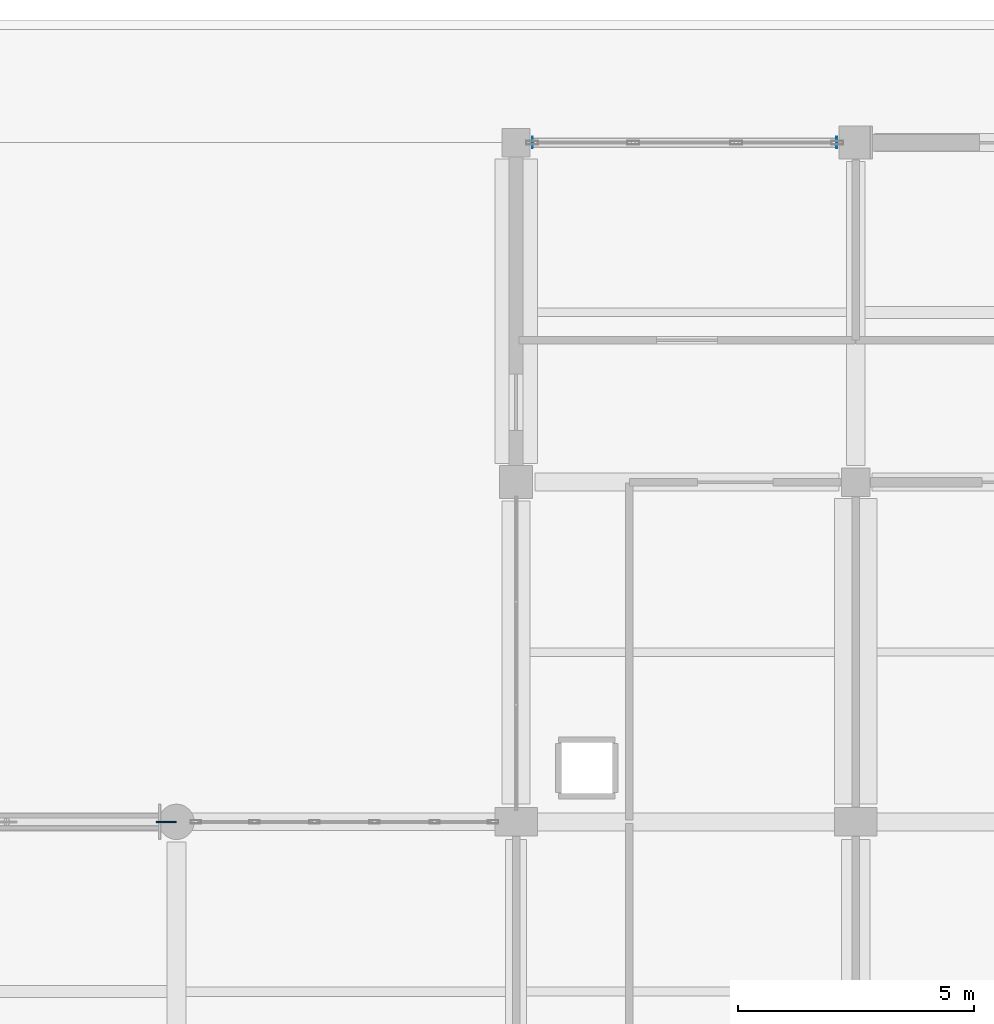
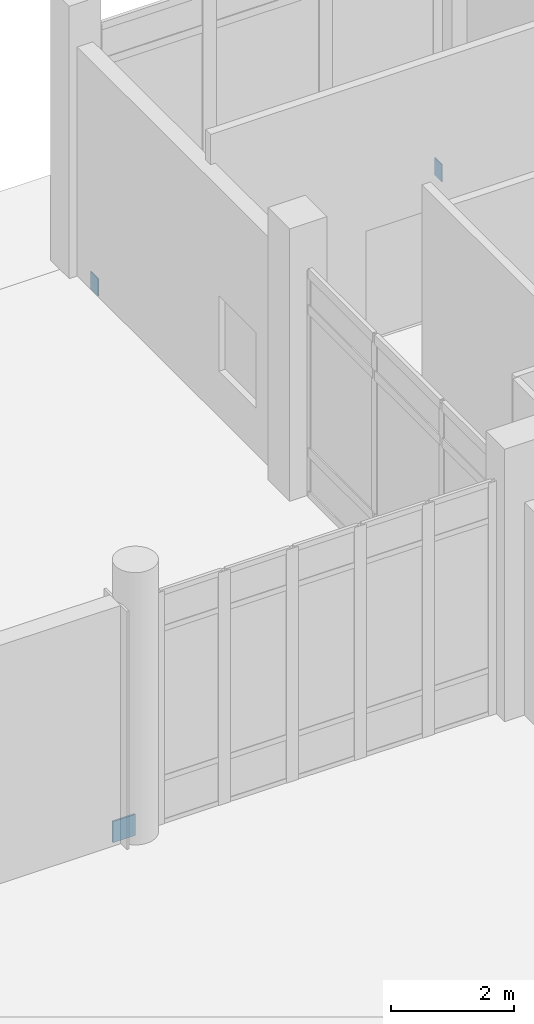
# One storey, part 186 of 229: 3 plates.
"""IFC4 building model written with IfcOpenShell, lengths in metres."""

from ifc_helpers import new_model, si_unit, direction, frame, origin, origin_2d, place, context, subcontext, project, spatial, rectangle, extrude, material, layer, layer_set, type_object, element, save


model = new_model("IFC4")

# Units and contexts
model_context = context("Model", 3, precision=1e-05, world=origin(), true_north=direction((0.0, 1.0)))
body_context = subcontext(model_context, "Body", "Model", "MODEL_VIEW")
ifc_project = project(units=[si_unit("LENGTHUNIT", "METRE"), si_unit("AREAUNIT", "SQUARE_METRE"), si_unit("VOLUMEUNIT", "CUBIC_METRE"), si_unit("PLANEANGLEUNIT", "RADIAN"), si_unit("MASSUNIT", "GRAM", prefix="KILO")], contexts=[model_context])

# Site, building, storey
site_placement = place(None, origin())
site = spatial("IfcSite", under=ifc_project, at=site_placement, CompositionType="ELEMENT")
building_placement = place(site_placement, origin())
building = spatial("IfcBuilding", under=site, at=building_placement, Name="Calvrana Isthmian Art Gallery", CompositionType="ELEMENT")
storey_placement = place(building_placement, origin())
storey = spatial("IfcBuildingStorey", under=building, at=storey_placement, Name="L00", CompositionType="ELEMENT", Elevation=0.0)

# Plates
ifc_material = material(Name="Steel ASTM A572 Gr 50", Category="steel")
ifc_layer_1 = layer(ifc_material, 0.01611328125, Name="Steel ASTM A572 Gr 50")
ifc_layer_set_1 = layer_set([ifc_layer_1], Name="Steel ASTM A572 Gr 50")
plate_type_1 = type_object("IfcPlateType", Name="PL-CAP-16", PredefinedType="SHEET", material=ifc_layer_set_1)
for number, where, z_axis, x_axis, name in (
    (1, (134.75, 112.800048828125, -0.6796875), (0.0, 0.0, 1.0), (1.0, 0.0, 0.0), "Hollow section end cap plate 403"),
    (2, (141.199951171875, 112.800048828125, -0.6796875), (0.0, 0.0, 1.0), (1.0, 0.0, 0.0), "Hollow section end cap plate 404"),
):
    element("IfcPlate", number, at=place(storey_placement, frame(where, z_axis=z_axis, x_axis=x_axis)), inside=storey, type_object=plate_type_1, Name=name, PredefinedType="SHEET", context=body_context, shape_type="SweptSolid", body=[
        extrude(rectangle(XDim=0.01611328125, YDim=0.2431640625, at=origin_2d()), origin(), (0.0, 0.0, 1.0), 0.3447265625),
    ])
ifc_layer_2 = layer(ifc_material, 0.031982421875, Name="Steel ASTM A572 Gr 50")
ifc_layer_set_2 = layer_set([ifc_layer_2], Name="Steel ASTM A572 Gr 50")
plate_type_2 = type_object("IfcPlateType", Name="PL-GUSSET-32", PredefinedType="USERDEFINED", material=ifc_layer_set_2)
plate_placement = place(storey_placement, frame((126.97998046875, 98.39990234375, -0.06005859375), z_axis=(0.0, 0.0, 1.0), x_axis=(1.0, 0.0, 0.0)))
element("IfcPlate", 3, at=plate_placement, inside=storey, type_object=plate_type_2, Name="Chevron brace gusset plate L00-13R", ObjectType="GUSSET PLATE", PredefinedType="USERDEFINED", context=body_context, shape_type="SweptSolid", body=[
    extrude(rectangle(XDim=0.419921875, YDim=0.031982421875, at=origin_2d()), origin(), (0.0, 0.0, 1.0), 0.419921875),
])

save(model, "model.ifc")
